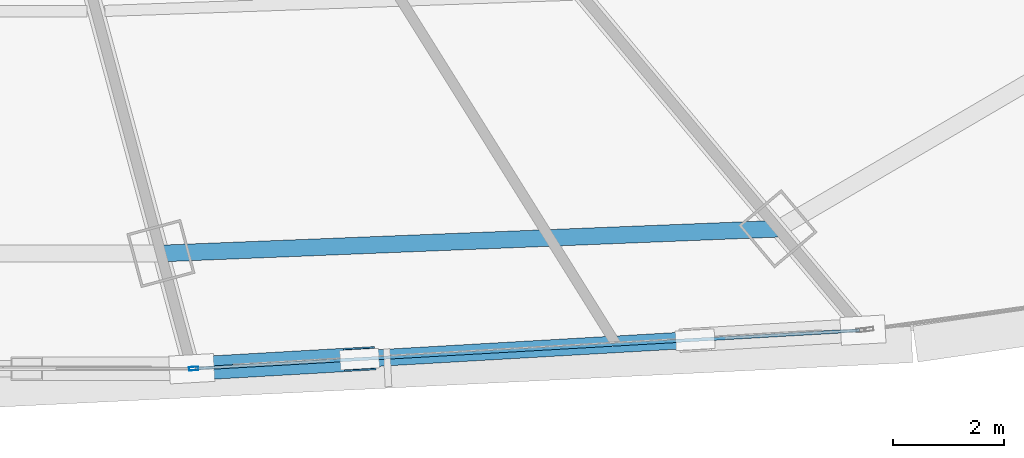
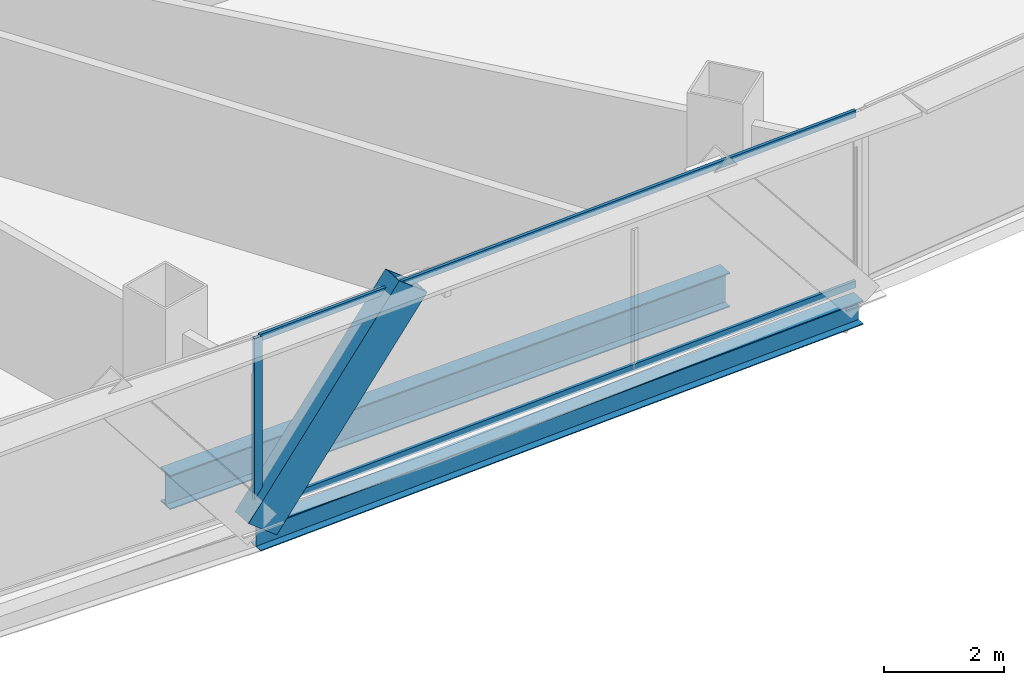
# One storey, part 10 of 38: 4 members, 2 beams, 1 element without a shape of its own.
"""IFC4 building model written with IfcOpenShell, lengths in metres."""

from ifc_helpers import new_model, si_unit, direction, frame, origin, origin_2d, place, context, subcontext, project, spatial, hollow_rectangle, i_section, extrude, source, transform, mapped, material, layer, layer_set, material_profile, profile_set, type_object, element, aggregate, save


model = new_model("IFC4")

# Units and contexts
model_context = context("Model", 3, precision=1e-05, world=origin(), true_north=direction((0.0, 1.0)))
body_context = subcontext(model_context, "Body", "Model", "MODEL_VIEW")
ifc_project = project(units=[si_unit("LENGTHUNIT", "METRE"), si_unit("AREAUNIT", "SQUARE_METRE"), si_unit("VOLUMEUNIT", "CUBIC_METRE"), si_unit("PLANEANGLEUNIT", "RADIAN"), si_unit("MASSUNIT", "GRAM", prefix="KILO"), si_unit("THERMODYNAMICTEMPERATUREUNIT", "KELVIN"), si_unit("POWERUNIT", "WATT")], contexts=[model_context])

# Site, building, storey
site_placement = place(None, origin())
site = spatial("IfcSite", under=ifc_project, at=site_placement, CompositionType="ELEMENT")
building_placement = place(site_placement, origin())
building = spatial("IfcBuilding", under=site, at=building_placement, Name="Yunzhuo Pagoda Commons", CompositionType="ELEMENT")
storey_placement = place(building_placement, frame((0.0, 0.0, 81.179931640625)))
storey = spatial("IfcBuildingStorey", under=building, at=storey_placement, Name="L20", CompositionType="ELEMENT", Elevation=81.179931640625)

# Beams
ifc_material_1 = material(Name="Structural steel Q355B", Category="steel")
ifc_material_profile_1 = material_profile(ifc_material_1, i_section(OverallWidth=0.300048828125, OverallDepth=0.488037109375, WebThickness=0.010986328125, FlangeThickness=0.01806640625, at=origin_2d()), Name="Structural steel Q355B")
ifc_profile_set_1 = profile_set([ifc_material_profile_1], Name="Structural steel Q355B")
beam_type_1 = type_object("IfcBeamType", Name="B-SP1 Beam HM 488x300x11x18", PredefinedType="BEAM", material=ifc_profile_set_1)
shared_shape_1 = source(origin(), body_context, "Body", "SweptSolid", [
    extrude(i_section(OverallWidth=0.300048828125, OverallDepth=0.488037109375, WebThickness=0.010986328125, FlangeThickness=0.01806640625, at=origin_2d()), origin(), (0.0, 0.0, 1.0), 12.060791015625),
])
beam_1_placement = place(storey_placement, frame((53.92138671875, 11.60107421875, -0.50390625), z_axis=(0.99834961986, 0.057428534065, 0.0), x_axis=(-0.057428534065, 0.99834961986, 0.0)))
element("IfcBeam", 1, at=beam_1_placement, inside=storey, type_object=beam_type_1, Name="L20 facade edge spandrel beam F1.3", PredefinedType="BEAM", context=body_context, shape_type="MappedRepresentation", body=[
    mapped(shared_shape_1, transform((0.0, 0.0, 0.0), scale=1.0)),
])
ifc_material_profile_2 = material_profile(ifc_material_1, i_section(OverallWidth=0.300048828125, OverallDepth=0.699951171875, WebThickness=0.012939453125, FlangeThickness=0.02392578125, at=origin_2d()), Name="Structural steel Q355B")
ifc_profile_set_2 = profile_set([ifc_material_profile_2], Name="Structural steel Q355B")
beam_type_2 = type_object("IfcBeamType", Name="B-RG1 Beam HN 700x300x13x24", PredefinedType="BEAM", material=ifc_profile_set_2)
shared_shape_2 = source(origin(), body_context, "Body", "SweptSolid", [
    extrude(i_section(OverallWidth=0.300048828125, OverallDepth=0.699951171875, WebThickness=0.012939453125, FlangeThickness=0.02392578125, at=origin_2d()), origin(), (0.0, 0.0, 1.0), 11.077392578125),
])
beam_2_placement = place(storey_placement, frame((53.367431640625, 13.66845703125, -0.60986328125), z_axis=(0.999196975427, 0.040067496776, 0.0), x_axis=(-0.040067496776, 0.999196975427, 0.0)))
element("IfcBeam", 2, at=beam_2_placement, inside=storey, type_object=beam_type_2, Name="L20 column-ring beam 3", PredefinedType="BEAM", context=body_context, shape_type="MappedRepresentation", body=[
    mapped(shared_shape_2, transform((0.0, 0.0, 0.0), scale=1.0)),
])

# Member
ifc_material_2 = material(Name="Structural steel Q420B", Category="steel")
ifc_material_profile_3 = material_profile(ifc_material_2, hollow_rectangle(XDim=0.419921875, YDim=0.719970703125, WallThickness=0.028076171875, at=origin_2d()), Name="Structural steel Q420B")
ifc_profile_set_3 = profile_set([ifc_material_profile_3], Name="Structural steel Q420B")
member_type_1 = type_object("IfcMemberType", Name="M-DL1 Brace BOX 720x420x28", PredefinedType="BRACE", material=ifc_profile_set_3)
shared_shape_3 = source(origin(), body_context, "Body", "SweptSolid", [
    extrude(hollow_rectangle(XDim=0.419921875, YDim=0.719970703125, WallThickness=0.028076171875, at=origin_2d()), origin(), (0.0, 0.0, 1.0), 4.85107421875),
])
member_1_placement = place(storey_placement, frame((53.92138671875, 11.60107421875, -0.260009765625), z_axis=(0.62054611539, 0.035682659839, 0.783357687433), x_axis=(-0.057407197931, 0.99835084696, 0.0)))
element("IfcMember", 3, at=member_1_placement, inside=storey, type_object=member_type_1, Name="L20 facade diamond brace F1.3L", PredefinedType="BRACE", context=body_context, shape_type="MappedRepresentation", body=[
    mapped(shared_shape_3, transform((0.0, 0.0, 0.0), scale=1.0)),
])

# Curtain wall, members
ifc_material_3 = material(Name="Anodized aluminium 6063-T6", Category="aluminium")
ifc_layer = layer(ifc_material_3, 0.1650390625)
ifc_layer_set = layer_set([ifc_layer], Name="Anodized aluminium 6063-T6")
curtain_wall_type = type_object("IfcCurtainWallType", Name="CW-LOW Low-Zone Ribbon Curtain Wall", PredefinedType="NOTDEFINED", material=ifc_layer_set)
curtain_wall_placement = place(storey_placement, origin())
curtain_wall = element("IfcCurtainWall", 4, at=curtain_wall_placement, inside=storey, type_object=curtain_wall_type, Name="L20 curtain wall CW-L20-F1B4", PredefinedType="NOTDEFINED")
ifc_material_profile_4 = material_profile(ifc_material_3, hollow_rectangle(XDim=0.06494140625, YDim=0.1650390625, WallThickness=0.00390625, at=origin_2d()), Name="Anodized aluminium 6063-T6")
ifc_profile_set_4 = profile_set([ifc_material_profile_4], Name="Anodized aluminium 6063-T6")
member_type_2 = type_object("IfcMemberType", Name="CW-LOW-M Mullion RHS 165x65x4", PredefinedType="MULLION", material=ifc_profile_set_4)
shared_shape_4 = source(origin(), body_context, "Body", "SweptSolid", [
    extrude(hollow_rectangle(XDim=0.06494140625, YDim=0.1650390625, WallThickness=0.00390625, at=origin_2d()), origin(), (0.0, 0.0, 1.0), 3.5400390625),
])
member_2_placement = place(storey_placement, frame((53.953857421875, 11.60302734375, 0.0), z_axis=(0.0, 0.0, 1.0), x_axis=(-0.057418382325, 0.998350203772, 0.0)))
member_2 = element("IfcMember", 5, at=member_2_placement, type_object=member_type_2, Name="CW mullion 1", PredefinedType="MULLION", context=body_context, shape_type="MappedRepresentation", body=[
    mapped(shared_shape_4, transform((0.0, 0.0, 0.0), scale=1.0)),
])
ifc_material_profile_5 = material_profile(ifc_material_3, hollow_rectangle(XDim=0.06005859375, YDim=0.139892578125, WallThickness=0.00341796875, at=origin_2d()), Name="Anodized aluminium 6063-T6")
ifc_profile_set_5 = profile_set([ifc_material_profile_5], Name="Anodized aluminium 6063-T6")
member_type_3 = type_object("IfcMemberType", Name="CW-LOW-T Transom RHS 140x60x3.5", PredefinedType="USERDEFINED", material=ifc_profile_set_5)
shared_shape_5 = source(origin(), body_context, "Body", "SweptSolid", [
    extrude(hollow_rectangle(XDim=0.06005859375, YDim=0.139892578125, WallThickness=0.00341796875, at=origin_2d()), origin(), (0.0, 0.0, 1.0), 11.9306640625),
])
member_3_placement = place(storey_placement, frame((53.986328125, 11.604736328125, 0.030029296875), z_axis=(0.998350086209, 0.057420426382, 0.0), x_axis=(-0.057420426382, 0.998350086209, 0.0)))
member_3 = element("IfcMember", 6, at=member_3_placement, type_object=member_type_3, Name="CW transom 1.1", ObjectType="TRANSOM", PredefinedType="USERDEFINED", context=body_context, shape_type="MappedRepresentation", body=[
    mapped(shared_shape_5, transform((0.0, 0.0, 0.0), scale=1.0)),
])
member_4_placement = place(storey_placement, frame((53.986328125, 11.604736328125, 3.510009765625), z_axis=(0.998350086209, 0.057420426382, 0.0), x_axis=(-0.057420426382, 0.998350086209, 0.0)))
member_4 = element("IfcMember", 7, at=member_4_placement, type_object=member_type_3, Name="CW transom 1.2", ObjectType="TRANSOM", PredefinedType="USERDEFINED", context=body_context, shape_type="MappedRepresentation", body=[
    mapped(shared_shape_5, transform((0.0, 0.0, 0.0), scale=1.0)),
])
aggregate(curtain_wall, [member_2, member_3, member_4])

save(model, "model.ifc")
